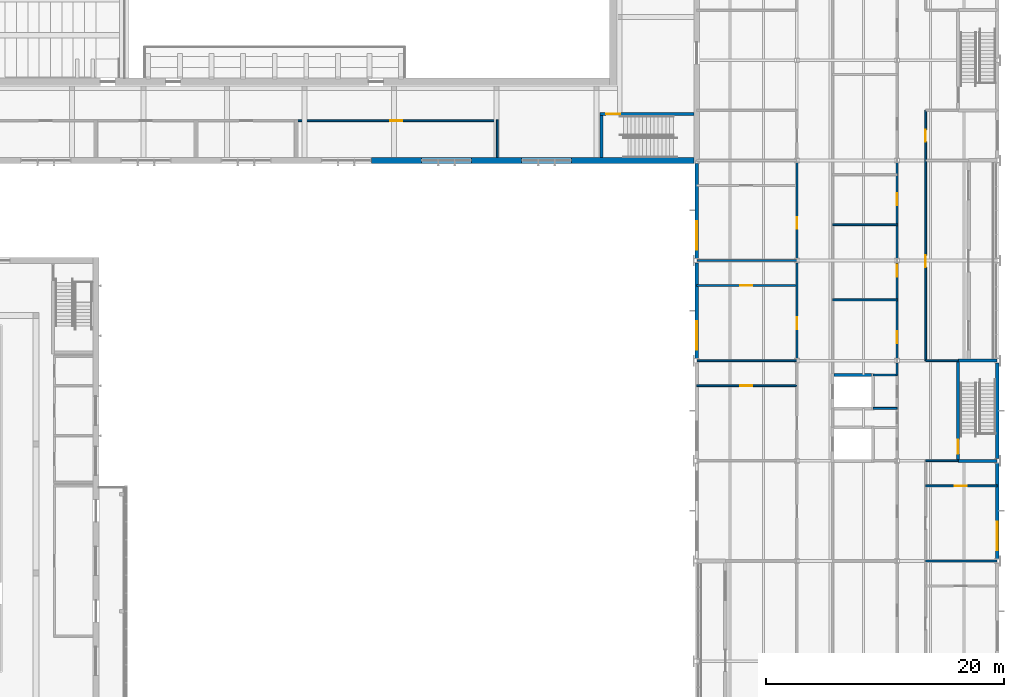
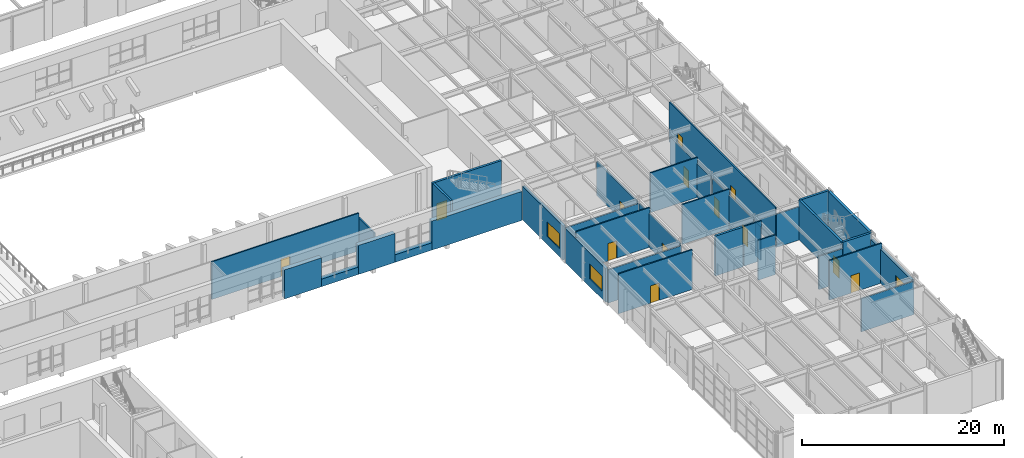
# One storey, part 75 of 127: 35 walls, 13 doors, 3 windows, 16 openings.
"""IFC4 building model written with IfcOpenShell, lengths in metres."""

from ifc_helpers import new_model, si_unit, direction, frame, frame_2d, origin, place, context, subcontext, project, spatial, rectangle, extrude, material, layer, layer_set, type_object, element, fill, save


model = new_model("IFC4")

# Units and contexts
model_context = context("Model", 3, precision=1e-05, world=origin(), true_north=direction((0.0, 1.0)))
body_context = subcontext(model_context, "Body", "Model", "MODEL_VIEW")
ifc_project = project(units=[si_unit("LENGTHUNIT", "METRE"), si_unit("AREAUNIT", "SQUARE_METRE"), si_unit("VOLUMEUNIT", "CUBIC_METRE"), si_unit("PLANEANGLEUNIT", "RADIAN"), si_unit("MASSUNIT", "GRAM", prefix="KILO")], contexts=[model_context])

# Site, building, storey
site_placement = place(None, origin())
site = spatial("IfcSite", under=ifc_project, at=site_placement, CompositionType="ELEMENT")
building_placement = place(site_placement, origin())
building = spatial("IfcBuilding", under=site, at=building_placement, Name="Ljudholm Concert House", CompositionType="ELEMENT")
storey_placement = place(building_placement, frame((0.0, 0.0, 5.39990234375)))
storey = spatial("IfcBuildingStorey", under=building, at=storey_placement, Name="L01", CompositionType="ELEMENT", Elevation=5.39990234375)

# Wall, opening, door
ifc_material_1 = material(Name="Gypsum board on steel studs", Category="steel")
ifc_layer_1 = layer(ifc_material_1, 0.14990234375)
ifc_layer_set_1 = layer_set([ifc_layer_1], Name="Gypsum board on steel studs")
wall_type_1 = type_object("IfcWallType", Name="GYPSUM PARTITION 150", PredefinedType="PARTITIONING", material=ifc_layer_set_1)
wall_1_placement = place(storey_placement, frame((62.800048828125, 57.72509765625, 0.0), z_axis=(0.0, 0.0, 1.0), x_axis=(1.0, 0.0, 0.0)))
wall_1 = element("IfcWall", 1, at=wall_1_placement, inside=storey, type_object=wall_type_1, Name="Hall Bar partition", PredefinedType="PARTITIONING", context=body_context, shape_type="SweptSolid", body=[
    extrude(rectangle(XDim=16.800048828125, YDim=0.14990234375, at=frame_2d((8.39990234375, 0.0))), origin(), (0.0, 0.0, 1.0), 4.550048828125),
])
opening_1_placement = place(wall_1_placement, frame((7.89990234375, 0.0, 0.0)))
opening_1 = element("IfcOpeningElement", 2, at=opening_1_placement, cuts=wall_1, Name="Opening D-H01-006", PredefinedType="OPENING", context=body_context, shape_type="SweptSolid", body=[
    extrude(rectangle(XDim=1.0, YDim=2.10009765625, at=frame_2d((0.5, 1.050048828125))), frame((0.0, 0.0849609375, 0.0), z_axis=(0.0, -1.0, 0.0), x_axis=(1.0, 0.0, 0.0)), (0.0, 0.0, 1.0), 0.169921875),
])
ifc_material_2 = material(Name="Hollow metal door in steel frame", Category="steel")
door_type_1 = type_object("IfcDoorType", Name="SWING DOOR 1000x2100", OperationType="SINGLE_SWING_LEFT", PredefinedType="DOOR", material=ifc_material_2)
door_1_placement = place(opening_1_placement, frame((1.0, 0.0, 0.0), z_axis=(0.0, 0.0, 1.0), x_axis=(-1.0, 0.0, 0.0)))
door_1 = element("IfcDoor", 3, at=door_1_placement, inside=storey, type_object=door_type_1, Name="Hall Bar door", OperationType="SINGLE_SWING_LEFT", OverallHeight=2.10009765625, OverallWidth=1.0, PredefinedType="DOOR", context=body_context, shape_type="SweptSolid", body=[
    extrude(rectangle(XDim=1.0, YDim=2.10009765625, at=frame_2d((0.5, 1.050048828125))), frame((0.0, 0.02490234375, 0.0), z_axis=(0.0, -1.0, 0.0), x_axis=(1.0, 0.0, 0.0)), (0.0, 0.0, 1.0), 0.050048828125),
])
fill(opening_1, door_1)

# Wall
wall_2_placement = place(storey_placement, frame((79.675048828125, 54.64990234375, 0.0), z_axis=(0.0, 0.0, 1.0), x_axis=(0.0, 1.0, 0.0)))
element("IfcWall", 4, at=wall_2_placement, inside=storey, type_object=wall_type_1, Name="Hall Bar partition", PredefinedType="PARTITIONING", context=body_context, shape_type="SweptSolid", body=[
    extrude(rectangle(XDim=3.150146484375, YDim=0.14990234375, at=frame_2d((1.5751953125, 0.0))), origin(), (0.0, 0.0, 1.0), 3.9501953125),
])

# Wall, opening, door
wall_3_placement = place(storey_placement, frame((104.800048828125, 37.78662109375, 0.0), z_axis=(0.0, 0.0, 1.0), x_axis=(0.0, 1.0, 0.0)))
wall_3 = element("IfcWall", 5, at=wall_3_placement, inside=storey, type_object=wall_type_1, Name="Partition", PredefinedType="PARTITIONING", context=body_context, shape_type="SweptSolid", body=[
    extrude(rectangle(XDim=8.026611328125, YDim=0.14990234375, at=frame_2d((4.01318359375, 0.0))), origin(), (0.0, 0.0, 1.0), 4.086669921875),
])
opening_2_placement = place(wall_3_placement, frame((2.46337890625, 0.0, 0.0)))
opening_2 = element("IfcOpeningElement", 6, at=opening_2_placement, cuts=wall_3, Name="Opening D-W01-014", PredefinedType="OPENING", context=body_context, shape_type="SweptSolid", body=[
    extrude(rectangle(XDim=1.0, YDim=2.10009765625, at=frame_2d((0.5, 1.050048828125))), frame((0.0, 0.0849609375, 0.0), z_axis=(0.0, -1.0, 0.0), x_axis=(1.0, 0.0, 0.0)), (0.0, 0.0, 1.0), 0.169921875),
])
door_2_placement = place(opening_2_placement, origin())
door_2 = element("IfcDoor", 7, at=door_2_placement, inside=storey, type_object=door_type_1, Name="Door", OperationType="SINGLE_SWING_LEFT", OverallHeight=2.10009765625, OverallWidth=1.0, PredefinedType="DOOR", context=body_context, shape_type="SweptSolid", body=[
    extrude(rectangle(XDim=1.0, YDim=2.10009765625, at=frame_2d((0.5, 1.050048828125))), frame((0.0, 0.02490234375, 0.0), z_axis=(0.0, -1.0, 0.0), x_axis=(1.0, 0.0, 0.0)), (0.0, 0.0, 1.0), 0.050048828125),
])
fill(opening_2, door_2)

wall_4_placement = place(storey_placement, frame((104.800048828125, 46.186767578125, 0.0), z_axis=(0.0, 0.0, 1.0), x_axis=(0.0, 1.0, 0.0)))
wall_4 = element("IfcWall", 8, at=wall_4_placement, inside=storey, type_object=wall_type_1, Name="Partition", PredefinedType="PARTITIONING", context=body_context, shape_type="SweptSolid", body=[
    extrude(rectangle(XDim=8.026611328125, YDim=0.14990234375, at=frame_2d((4.01318359375, 0.0))), origin(), (0.0, 0.0, 1.0), 4.086669921875),
])
opening_3_placement = place(wall_4_placement, frame((2.46337890625, 0.0, 0.0)))
opening_3 = element("IfcOpeningElement", 9, at=opening_3_placement, cuts=wall_4, Name="Opening D-W01-016", PredefinedType="OPENING", context=body_context, shape_type="SweptSolid", body=[
    extrude(rectangle(XDim=1.0, YDim=2.10009765625, at=frame_2d((0.5, 1.050048828125))), frame((0.0, 0.0849609375, 0.0), z_axis=(0.0, -1.0, 0.0), x_axis=(1.0, 0.0, 0.0)), (0.0, 0.0, 1.0), 0.169921875),
])
door_3_placement = place(opening_3_placement, origin())
door_3 = element("IfcDoor", 10, at=door_3_placement, inside=storey, type_object=door_type_1, Name="Door", OperationType="SINGLE_SWING_LEFT", OverallHeight=2.10009765625, OverallWidth=1.0, PredefinedType="DOOR", context=body_context, shape_type="SweptSolid", body=[
    extrude(rectangle(XDim=1.0, YDim=2.10009765625, at=frame_2d((0.5, 1.050048828125))), frame((0.0, 0.02490234375, 0.0), z_axis=(0.0, -1.0, 0.0), x_axis=(1.0, 0.0, 0.0)), (0.0, 0.0, 1.0), 0.050048828125),
])
fill(opening_3, door_3)

# Wall
wall_5_placement = place(storey_placement, frame((113.199951171875, 36.39990234375, 0.0), z_axis=(0.0, 0.0, 1.0), x_axis=(0.0, 1.0, 0.0)))
element("IfcWall", 11, at=wall_5_placement, inside=storey, type_object=wall_type_1, Name="Partition", PredefinedType="PARTITIONING", context=body_context, shape_type="SweptSolid", body=[
    extrude(rectangle(XDim=1.013427734375, YDim=0.14990234375, at=frame_2d((0.5068359375, 0.0))), origin(), (0.0, 0.0, 1.0), 4.086669921875),
])

# Wall, openings, doors
wall_6_placement = place(storey_placement, frame((113.199951171875, 37.78662109375, 0.0), z_axis=(0.0, 0.0, 1.0), x_axis=(0.0, 1.0, 0.0)))
wall_6 = element("IfcWall", 12, at=wall_6_placement, inside=storey, type_object=wall_type_1, Name="Partition", PredefinedType="PARTITIONING", context=body_context, shape_type="SweptSolid", body=[
    extrude(rectangle(XDim=8.026611328125, YDim=0.14990234375, at=frame_2d((4.01318359375, 0.0))), origin(), (0.0, 0.0, 1.0), 4.086669921875),
])
opening_4_placement = place(wall_6_placement, frame((1.263427734375, 0.0, 0.0)))
opening_4 = element("IfcOpeningElement", 13, at=opening_4_placement, cuts=wall_6, Name="Opening D-W01-025", PredefinedType="OPENING", context=body_context, shape_type="SweptSolid", body=[
    extrude(rectangle(XDim=1.0, YDim=2.10009765625, at=frame_2d((0.5, 1.050048828125))), frame((0.0, 0.0849609375, 0.0), z_axis=(0.0, -1.0, 0.0), x_axis=(1.0, 0.0, 0.0)), (0.0, 0.0, 1.0), 0.169921875),
])
opening_5_placement = place(wall_6_placement, frame((6.86328125, 0.0, 0.0)))
opening_5 = element("IfcOpeningElement", 14, at=opening_5_placement, cuts=wall_6, Name="Opening D-W01-026", PredefinedType="OPENING", context=body_context, shape_type="SweptSolid", body=[
    extrude(rectangle(XDim=1.0, YDim=2.10009765625, at=frame_2d((0.5, 1.050048828125))), frame((0.0, 0.0849609375, 0.0), z_axis=(0.0, -1.0, 0.0), x_axis=(1.0, 0.0, 0.0)), (0.0, 0.0, 1.0), 0.169921875),
])
door_4_placement = place(opening_4_placement, origin())
door_4 = element("IfcDoor", 15, at=door_4_placement, inside=storey, type_object=door_type_1, Name="Door", OperationType="SINGLE_SWING_RIGHT", OverallHeight=2.10009765625, OverallWidth=1.0, PredefinedType="DOOR", context=body_context, shape_type="SweptSolid", body=[
    extrude(rectangle(XDim=1.0, YDim=2.10009765625, at=frame_2d((0.5, 1.050048828125))), frame((0.0, 0.02490234375, 0.0), z_axis=(0.0, -1.0, 0.0), x_axis=(1.0, 0.0, 0.0)), (0.0, 0.0, 1.0), 0.050048828125),
])
fill(opening_4, door_4)
door_5_placement = place(opening_5_placement, origin())
door_5 = element("IfcDoor", 16, at=door_5_placement, inside=storey, type_object=door_type_1, Name="Door", OperationType="SINGLE_SWING_LEFT", OverallHeight=2.10009765625, OverallWidth=1.0, PredefinedType="DOOR", context=body_context, shape_type="SweptSolid", body=[
    extrude(rectangle(XDim=1.0, YDim=2.10009765625, at=frame_2d((0.5, 1.050048828125))), frame((0.0, 0.02490234375, 0.0), z_axis=(0.0, -1.0, 0.0), x_axis=(1.0, 0.0, 0.0)), (0.0, 0.0, 1.0), 0.050048828125),
])
fill(opening_5, door_5)

# Wall, opening, door
wall_7_placement = place(storey_placement, frame((113.199951171875, 46.186767578125, 0.0), z_axis=(0.0, 0.0, 1.0), x_axis=(0.0, 1.0, 0.0)))
wall_7 = element("IfcWall", 17, at=wall_7_placement, inside=storey, type_object=wall_type_1, Name="Partition", PredefinedType="PARTITIONING", context=body_context, shape_type="SweptSolid", body=[
    extrude(rectangle(XDim=8.026611328125, YDim=0.14990234375, at=frame_2d((4.01318359375, 0.0))), origin(), (0.0, 0.0, 1.0), 4.086669921875),
])
opening_6_placement = place(wall_7_placement, frame((4.46337890625, 0.0, 0.0)))
opening_6 = element("IfcOpeningElement", 18, at=opening_6_placement, cuts=wall_7, Name="Opening D-W01-027", PredefinedType="OPENING", context=body_context, shape_type="SweptSolid", body=[
    extrude(rectangle(XDim=1.0, YDim=2.10009765625, at=frame_2d((0.5, 1.050048828125))), frame((0.0, 0.0849609375, 0.0), z_axis=(0.0, -1.0, 0.0), x_axis=(1.0, 0.0, 0.0)), (0.0, 0.0, 1.0), 0.169921875),
])
door_6_placement = place(opening_6_placement, origin())
door_6 = element("IfcDoor", 19, at=door_6_placement, inside=storey, type_object=door_type_1, Name="Door", OperationType="SINGLE_SWING_RIGHT", OverallHeight=2.10009765625, OverallWidth=1.0, PredefinedType="DOOR", context=body_context, shape_type="SweptSolid", body=[
    extrude(rectangle(XDim=1.0, YDim=2.10009765625, at=frame_2d((0.5, 1.050048828125))), frame((0.0, 0.02490234375, 0.0), z_axis=(0.0, -1.0, 0.0), x_axis=(1.0, 0.0, 0.0)), (0.0, 0.0, 1.0), 0.050048828125),
])
fill(opening_6, door_6)

# Wall, openings, doors
wall_8_placement = place(storey_placement, frame((115.60009765625, 37.60009765625, 0.0), z_axis=(0.0, 0.0, 1.0), x_axis=(0.0, 1.0, 0.0)))
wall_8 = element("IfcWall", 20, at=wall_8_placement, inside=storey, type_object=wall_type_1, Name="Partition", PredefinedType="PARTITIONING", context=body_context, shape_type="SweptSolid", body=[
    extrude(rectangle(XDim=21.0, YDim=0.14990234375, at=frame_2d((10.5, 0.0))), origin(), (0.0, 0.0, 1.0), 4.800048828125),
])
opening_7_placement = place(wall_8_placement, frame((7.85009765625, 0.0, 0.0)))
opening_7 = element("IfcOpeningElement", 21, at=opening_7_placement, cuts=wall_8, Name="Opening D-W01-037", PredefinedType="OPENING", context=body_context, shape_type="SweptSolid", body=[
    extrude(rectangle(XDim=1.0, YDim=2.10009765625, at=frame_2d((0.5, 1.050048828125))), frame((0.0, 0.0849609375, 0.0), z_axis=(0.0, -1.0, 0.0), x_axis=(1.0, 0.0, 0.0)), (0.0, 0.0, 1.0), 0.169921875),
])
opening_8_placement = place(wall_8_placement, frame((18.35009765625, 0.0, 0.0)))
opening_8 = element("IfcOpeningElement", 22, at=opening_8_placement, cuts=wall_8, Name="Opening D-W01-038", PredefinedType="OPENING", context=body_context, shape_type="SweptSolid", body=[
    extrude(rectangle(XDim=1.0, YDim=2.10009765625, at=frame_2d((0.5, 1.050048828125))), frame((0.0, 0.0849609375, 0.0), z_axis=(0.0, -1.0, 0.0), x_axis=(1.0, 0.0, 0.0)), (0.0, 0.0, 1.0), 0.169921875),
])
door_7_placement = place(opening_7_placement, frame((1.0, 0.0, 0.0), z_axis=(0.0, 0.0, 1.0), x_axis=(-1.0, 0.0, 0.0)))
door_7 = element("IfcDoor", 23, at=door_7_placement, inside=storey, type_object=door_type_1, Name="Door", OperationType="SINGLE_SWING_LEFT", OverallHeight=2.10009765625, OverallWidth=1.0, PredefinedType="DOOR", context=body_context, shape_type="SweptSolid", body=[
    extrude(rectangle(XDim=1.0, YDim=2.10009765625, at=frame_2d((0.5, 1.050048828125))), frame((0.0, 0.02490234375, 0.0), z_axis=(0.0, -1.0, 0.0), x_axis=(1.0, 0.0, 0.0)), (0.0, 0.0, 1.0), 0.050048828125),
])
fill(opening_7, door_7)
door_8_placement = place(opening_8_placement, frame((1.0, 0.0, 0.0), z_axis=(0.0, 0.0, 1.0), x_axis=(-1.0, 0.0, 0.0)))
door_8 = element("IfcDoor", 24, at=door_8_placement, inside=storey, type_object=door_type_1, Name="Door", OperationType="SINGLE_SWING_RIGHT", OverallHeight=2.10009765625, OverallWidth=1.0, PredefinedType="DOOR", context=body_context, shape_type="SweptSolid", body=[
    extrude(rectangle(XDim=1.0, YDim=2.10009765625, at=frame_2d((0.5, 1.050048828125))), frame((0.0, 0.02490234375, 0.0), z_axis=(0.0, -1.0, 0.0), x_axis=(1.0, 0.0, 0.0)), (0.0, 0.0, 1.0), 0.050048828125),
])
fill(opening_8, door_8)

# Wall
wall_9_placement = place(storey_placement, frame((115.60009765625, 20.800048828125, 0.0), z_axis=(0.0, 0.0, 1.0), x_axis=(1.0, 0.0, 0.0)))
element("IfcWall", 25, at=wall_9_placement, inside=storey, type_object=wall_type_1, Name="Partition", PredefinedType="PARTITIONING", context=body_context, shape_type="SweptSolid", body=[
    extrude(rectangle(XDim=5.99169921875, YDim=0.14990234375, at=frame_2d((2.995849609375, 0.0))), origin(), (0.0, 0.0, 1.0), 4.008056640625),
])

# Wall, opening, door
wall_10_placement = place(storey_placement, frame((115.60009765625, 27.10009765625, 0.0), z_axis=(0.0, 0.0, 1.0), x_axis=(1.0, 0.0, 0.0)))
wall_10 = element("IfcWall", 26, at=wall_10_placement, inside=storey, type_object=wall_type_1, Name="Partition", PredefinedType="PARTITIONING", context=body_context, shape_type="SweptSolid", body=[
    extrude(rectangle(XDim=6.0, YDim=0.14990234375, at=frame_2d((3.0, 0.0))), origin(), (0.0, 0.0, 1.0), 4.800048828125),
])
opening_9_placement = place(wall_10_placement, frame((2.449951171875, 0.0, 0.0)))
opening_9 = element("IfcOpeningElement", 27, at=opening_9_placement, cuts=wall_10, Name="Opening D-W01-036", PredefinedType="OPENING", context=body_context, shape_type="SweptSolid", body=[
    extrude(rectangle(XDim=1.0, YDim=2.10009765625, at=frame_2d((0.5, 1.050048828125))), frame((0.0, 0.0849609375, 0.0), z_axis=(0.0, -1.0, 0.0), x_axis=(1.0, 0.0, 0.0)), (0.0, 0.0, 1.0), 0.169921875),
])
door_9_placement = place(opening_9_placement, origin())
door_9 = element("IfcDoor", 28, at=door_9_placement, inside=storey, type_object=door_type_1, Name="Door", OperationType="SINGLE_SWING_LEFT", OverallHeight=2.10009765625, OverallWidth=1.0, PredefinedType="DOOR", context=body_context, shape_type="SweptSolid", body=[
    extrude(rectangle(XDim=1.0, YDim=2.10009765625, at=frame_2d((0.5, 1.050048828125))), frame((0.0, 0.02490234375, 0.0), z_axis=(0.0, -1.0, 0.0), x_axis=(1.0, 0.0, 0.0)), (0.0, 0.0, 1.0), 0.050048828125),
])
fill(opening_9, door_9)

# Walls
wall_11_placement = place(storey_placement, frame((115.60009765625, 29.199951171875, 0.0), z_axis=(0.0, 0.0, 1.0), x_axis=(1.0, 0.0, 0.0)))
element("IfcWall", 29, at=wall_11_placement, inside=storey, type_object=wall_type_1, Name="Partition", PredefinedType="PARTITIONING", context=body_context, shape_type="SweptSolid", body=[
    extrude(rectangle(XDim=2.724853515625, YDim=0.14990234375, at=frame_2d((1.3623046875, 0.0))), origin(), (0.0, 0.0, 1.0), 4.008056640625),
])
wall_12_placement = place(storey_placement, frame((111.199951171875, 33.60009765625, 0.0), z_axis=(0.0, 0.0, 1.0), x_axis=(1.0, 0.0, 0.0)))
element("IfcWall", 30, at=wall_12_placement, inside=storey, type_object=wall_type_1, Name="Partition", PredefinedType="PARTITIONING", context=body_context, shape_type="SweptSolid", body=[
    extrude(rectangle(XDim=2.0, YDim=0.14990234375, at=frame_2d((1.0, 0.0))), origin(), (0.0, 0.0, 1.0), 4.800048828125),
])

# Wall, opening, door
wall_13_placement = place(storey_placement, frame((96.39990234375, 35.5, 0.0), z_axis=(0.0, 0.0, 1.0), x_axis=(1.0, 0.0, 0.0)))
wall_13 = element("IfcWall", 31, at=wall_13_placement, inside=storey, type_object=wall_type_1, Name="Partition", PredefinedType="PARTITIONING", context=body_context, shape_type="SweptSolid", body=[
    extrude(rectangle(XDim=8.400146484375, YDim=0.14990234375, at=frame_2d((4.2001953125, 0.0))), origin(), (0.0, 0.0, 1.0), 4.800048828125),
])
opening_10_placement = place(wall_13_placement, frame((3.64990234375, 0.0, 0.0)))
opening_10 = element("IfcOpeningElement", 32, at=opening_10_placement, cuts=wall_13, Name="Opening D-W01-013", PredefinedType="OPENING", context=body_context, shape_type="SweptSolid", body=[
    extrude(rectangle(XDim=1.0, YDim=2.10009765625, at=frame_2d((0.5, 1.050048828125))), frame((0.0, 0.0849609375, 0.0), z_axis=(0.0, -1.0, 0.0), x_axis=(1.0, 0.0, 0.0)), (0.0, 0.0, 1.0), 0.169921875),
])
door_10_placement = place(opening_10_placement, origin())
door_10 = element("IfcDoor", 33, at=door_10_placement, inside=storey, type_object=door_type_1, Name="Door", OperationType="SINGLE_SWING_RIGHT", OverallHeight=2.10009765625, OverallWidth=1.0, PredefinedType="DOOR", context=body_context, shape_type="SweptSolid", body=[
    extrude(rectangle(XDim=1.0, YDim=2.10009765625, at=frame_2d((0.5, 1.050048828125))), frame((0.0, 0.02490234375, 0.0), z_axis=(0.0, -1.0, 0.0), x_axis=(1.0, 0.0, 0.0)), (0.0, 0.0, 1.0), 0.050048828125),
])
fill(opening_10, door_10)

# Walls
wall_14_placement = place(storey_placement, frame((111.199951171875, 36.39990234375, 0.0), z_axis=(0.0, 0.0, 1.0), x_axis=(1.0, 0.0, 0.0)))
element("IfcWall", 34, at=wall_14_placement, inside=storey, type_object=wall_type_1, Name="Partition", PredefinedType="PARTITIONING", context=body_context, shape_type="SweptSolid", body=[
    extrude(rectangle(XDim=2.0, YDim=0.14990234375, at=frame_2d((1.0, 0.0))), origin(), (0.0, 0.0, 1.0), 4.800048828125),
])
wall_15_placement = place(storey_placement, frame((115.60009765625, 37.60009765625, 0.0), z_axis=(0.0, 0.0, 1.0), x_axis=(1.0, 0.0, 0.0)))
element("IfcWall", 35, at=wall_15_placement, inside=storey, type_object=wall_type_1, Name="Partition", PredefinedType="PARTITIONING", context=body_context, shape_type="SweptSolid", body=[
    extrude(rectangle(XDim=2.724853515625, YDim=0.14990234375, at=frame_2d((1.3623046875, 0.0))), origin(), (0.0, 0.0, 1.0), 4.008056640625),
])
wall_16_placement = place(storey_placement, frame((96.408203125, 37.60009765625, 0.0), z_axis=(0.0, 0.0, 1.0), x_axis=(1.0, 0.0, 0.0)))
element("IfcWall", 36, at=wall_16_placement, inside=storey, type_object=wall_type_1, Name="Partition", PredefinedType="PARTITIONING", context=body_context, shape_type="SweptSolid", body=[
    extrude(rectangle(XDim=8.383544921875, YDim=0.14990234375, at=frame_2d((4.19189453125, 0.0))), origin(), (0.0, 0.0, 1.0), 4.008056640625),
])
wall_17_placement = place(storey_placement, frame((107.800048828125, 42.699951171875, 0.0), z_axis=(0.0, 0.0, 1.0), x_axis=(1.0, 0.0, 0.0)))
element("IfcWall", 37, at=wall_17_placement, inside=storey, type_object=wall_type_1, Name="Partition", PredefinedType="PARTITIONING", context=body_context, shape_type="SweptSolid", body=[
    extrude(rectangle(XDim=5.39990234375, YDim=0.14990234375, at=frame_2d((2.699951171875, 0.0))), origin(), (0.0, 0.0, 1.0), 4.800048828125),
])

# Wall, opening, door
wall_18_placement = place(storey_placement, frame((96.39990234375, 43.89990234375, 0.0), z_axis=(0.0, 0.0, 1.0), x_axis=(1.0, 0.0, 0.0)))
wall_18 = element("IfcWall", 38, at=wall_18_placement, inside=storey, type_object=wall_type_1, Name="Partition", PredefinedType="PARTITIONING", context=body_context, shape_type="SweptSolid", body=[
    extrude(rectangle(XDim=8.400146484375, YDim=0.14990234375, at=frame_2d((4.2001953125, 0.0))), origin(), (0.0, 0.0, 1.0), 4.800048828125),
])
opening_11_placement = place(wall_18_placement, frame((3.64990234375, 0.0, 0.0)))
opening_11 = element("IfcOpeningElement", 39, at=opening_11_placement, cuts=wall_18, Name="Opening D-W01-015", PredefinedType="OPENING", context=body_context, shape_type="SweptSolid", body=[
    extrude(rectangle(XDim=1.0, YDim=2.10009765625, at=frame_2d((0.5, 1.050048828125))), frame((0.0, 0.0849609375, 0.0), z_axis=(0.0, -1.0, 0.0), x_axis=(1.0, 0.0, 0.0)), (0.0, 0.0, 1.0), 0.169921875),
])
door_11_placement = place(opening_11_placement, origin())
door_11 = element("IfcDoor", 40, at=door_11_placement, inside=storey, type_object=door_type_1, Name="Door", OperationType="SINGLE_SWING_LEFT", OverallHeight=2.10009765625, OverallWidth=1.0, PredefinedType="DOOR", context=body_context, shape_type="SweptSolid", body=[
    extrude(rectangle(XDim=1.0, YDim=2.10009765625, at=frame_2d((0.5, 1.050048828125))), frame((0.0, 0.02490234375, 0.0), z_axis=(0.0, -1.0, 0.0), x_axis=(1.0, 0.0, 0.0)), (0.0, 0.0, 1.0), 0.050048828125),
])
fill(opening_11, door_11)

# Walls
wall_19_placement = place(storey_placement, frame((96.408203125, 46.0, 0.0), z_axis=(0.0, 0.0, 1.0), x_axis=(1.0, 0.0, 0.0)))
element("IfcWall", 41, at=wall_19_placement, inside=storey, type_object=wall_type_1, Name="Partition", PredefinedType="PARTITIONING", context=body_context, shape_type="SweptSolid", body=[
    extrude(rectangle(XDim=8.383544921875, YDim=0.14990234375, at=frame_2d((4.19189453125, 0.0))), origin(), (0.0, 0.0, 1.0), 4.008056640625),
])
wall_20_placement = place(storey_placement, frame((107.800048828125, 49.0, 0.0), z_axis=(0.0, 0.0, 1.0), x_axis=(1.0, 0.0, 0.0)))
element("IfcWall", 42, at=wall_20_placement, inside=storey, type_object=wall_type_1, Name="Partition", PredefinedType="PARTITIONING", context=body_context, shape_type="SweptSolid", body=[
    extrude(rectangle(XDim=5.39990234375, YDim=0.14990234375, at=frame_2d((2.699951171875, 0.0))), origin(), (0.0, 0.0, 1.0), 4.800048828125),
])

# Wall, opening, window
ifc_material_3 = material(Name="Precast concrete 5,000 psi", Category="concrete")
ifc_layer_2 = layer(ifc_material_3, 0.300048828125)
ifc_layer_set_2 = layer_set([ifc_layer_2], Name="Precast concrete 5,000 psi")
wall_type_2 = type_object("IfcWallType", Name="PRECAST PANEL WALL 300", PredefinedType="SOLIDWALL", material=ifc_layer_set_2)
wall_21_placement = place(storey_placement, frame((96.39990234375, 37.78662109375, 0.0), z_axis=(0.0, 0.0, 1.0), x_axis=(0.0, 1.0, 0.0)))
wall_21 = element("IfcWall", 43, at=wall_21_placement, inside=storey, type_object=wall_type_2, Name="Facade wall", PredefinedType="SOLIDWALL", context=body_context, shape_type="SweptSolid", body=[
    extrude(rectangle(XDim=8.026611328125, YDim=0.300048828125, at=frame_2d((4.01318359375, 0.0))), origin(), (0.0, 0.0, 1.0), 4.086669921875),
])
opening_12_placement = place(wall_21_placement, frame((0.71337890625, 0.0, 0.949951171875)))
opening_12 = element("IfcOpeningElement", 44, at=opening_12_placement, cuts=wall_21, Name="Opening X-W01-005", PredefinedType="OPENING", context=body_context, shape_type="SweptSolid", body=[
    extrude(rectangle(XDim=2.39990234375, YDim=1.800048828125, at=frame_2d((1.199951171875, 0.89990234375))), frame((0.0, 0.159912109375, 0.0), z_axis=(0.0, -1.0, 0.0), x_axis=(1.0, 0.0, 0.0)), (0.0, 0.0, 1.0), 0.320068359375),
])
ifc_material_4 = material(Name="Aluminium frame, impact glazing", Category="aluminium")
window_type = type_object("IfcWindowType", Name="CASEMENT WINDOW 2400x1800", PartitioningType="DOUBLE_PANEL_VERTICAL", PredefinedType="WINDOW", material=ifc_material_4)
window_1_placement = place(opening_12_placement, origin())
window_1 = element("IfcWindow", 45, at=window_1_placement, inside=storey, type_object=window_type, Name="Window", OverallHeight=1.800048828125, OverallWidth=2.39990234375, PartitioningType="DOUBLE_PANEL_VERTICAL", PredefinedType="WINDOW", context=body_context, shape_type="SweptSolid", body=[
    extrude(rectangle(XDim=2.39990234375, YDim=1.800048828125, at=frame_2d((1.199951171875, 0.89990234375))), frame((0.0, 0.030029296875, 0.0), z_axis=(0.0, -1.0, 0.0), x_axis=(1.0, 0.0, 0.0)), (0.0, 0.0, 1.0), 0.06005859375),
])
fill(opening_12, window_1)

wall_22_placement = place(storey_placement, frame((96.39990234375, 46.186767578125, 0.0), z_axis=(0.0, 0.0, 1.0), x_axis=(0.0, 1.0, 0.0)))
wall_22 = element("IfcWall", 46, at=wall_22_placement, inside=storey, type_object=wall_type_2, Name="Facade wall", PredefinedType="SOLIDWALL", context=body_context, shape_type="SweptSolid", body=[
    extrude(rectangle(XDim=7.963134765625, YDim=0.300048828125, at=frame_2d((3.9814453125, 0.0))), origin(), (0.0, 0.0, 1.0), 4.086669921875),
])
opening_13_placement = place(wall_22_placement, frame((0.71337890625, 0.0, 0.949951171875)))
opening_13 = element("IfcOpeningElement", 47, at=opening_13_placement, cuts=wall_22, Name="Opening X-W01-006", PredefinedType="OPENING", context=body_context, shape_type="SweptSolid", body=[
    extrude(rectangle(XDim=2.39990234375, YDim=1.800048828125, at=frame_2d((1.199951171875, 0.89990234375))), frame((0.0, 0.159912109375, 0.0), z_axis=(0.0, -1.0, 0.0), x_axis=(1.0, 0.0, 0.0)), (0.0, 0.0, 1.0), 0.320068359375),
])
window_2_placement = place(opening_13_placement, origin())
window_2 = element("IfcWindow", 48, at=window_2_placement, inside=storey, type_object=window_type, Name="Window", OverallHeight=1.800048828125, OverallWidth=2.39990234375, PartitioningType="DOUBLE_PANEL_VERTICAL", PredefinedType="WINDOW", context=body_context, shape_type="SweptSolid", body=[
    extrude(rectangle(XDim=2.39990234375, YDim=1.800048828125, at=frame_2d((1.199951171875, 0.89990234375))), frame((0.0, 0.030029296875, 0.0), z_axis=(0.0, -1.0, 0.0), x_axis=(1.0, 0.0, 0.0)), (0.0, 0.0, 1.0), 0.06005859375),
])
fill(opening_13, window_2)

wall_23_placement = place(storey_placement, frame((121.60009765625, 20.986572265625, 0.0), z_axis=(0.0, 0.0, 1.0), x_axis=(0.0, 1.0, 0.0)))
wall_23 = element("IfcWall", 49, at=wall_23_placement, inside=storey, type_object=wall_type_2, Name="Facade wall", PredefinedType="SOLIDWALL", context=body_context, shape_type="SweptSolid", body=[
    extrude(rectangle(XDim=8.02685546875, YDim=0.300048828125, at=frame_2d((4.013427734375, 0.0))), origin(), (0.0, 0.0, 1.0), 4.086669921875),
])
opening_14_placement = place(wall_23_placement, frame((0.71337890625, 0.0, 0.949951171875)))
opening_14 = element("IfcOpeningElement", 50, at=opening_14_placement, cuts=wall_23, Name="Opening X-W01-008", PredefinedType="OPENING", context=body_context, shape_type="SweptSolid", body=[
    extrude(rectangle(XDim=2.39990234375, YDim=1.800048828125, at=frame_2d((1.199951171875, 0.89990234375))), frame((0.0, 0.159912109375, 0.0), z_axis=(0.0, -1.0, 0.0), x_axis=(1.0, 0.0, 0.0)), (0.0, 0.0, 1.0), 0.320068359375),
])
window_3_placement = place(opening_14_placement, origin())
window_3 = element("IfcWindow", 51, at=window_3_placement, inside=storey, type_object=window_type, Name="Window", OverallHeight=1.800048828125, OverallWidth=2.39990234375, PartitioningType="DOUBLE_PANEL_VERTICAL", PredefinedType="WINDOW", context=body_context, shape_type="SweptSolid", body=[
    extrude(rectangle(XDim=2.39990234375, YDim=1.800048828125, at=frame_2d((1.199951171875, 0.89990234375))), frame((0.0, 0.030029296875, 0.0), z_axis=(0.0, -1.0, 0.0), x_axis=(1.0, 0.0, 0.0)), (0.0, 0.0, 1.0), 0.06005859375),
])
fill(opening_14, window_3)

# Wall, opening, door
ifc_material_5 = material(Name="Concrete 6,500 psi", Category="concrete")
ifc_layer_3 = layer(ifc_material_5, 0.25)
ifc_layer_set_3 = layer_set([ifc_layer_3], Name="Concrete 6,500 psi")
wall_type_3 = type_object("IfcWallType", Name="RC CORE WALL 250", PredefinedType="SHEAR", material=ifc_layer_set_3)
wall_24_placement = place(storey_placement, frame((118.324951171875, 29.199951171875, 0.0), z_axis=(0.0, 0.0, 1.0), x_axis=(0.0, 1.0, 0.0)))
wall_24 = element("IfcWall", 52, at=wall_24_placement, inside=storey, type_object=wall_type_3, Name="Stair core wall", PredefinedType="SHEAR", context=body_context, shape_type="SweptSolid", body=[
    extrude(rectangle(XDim=8.400146484375, YDim=0.25, at=frame_2d((4.2001953125, 0.0))), origin(), (0.0, 0.0, 1.0), 4.800048828125),
])
opening_15_placement = place(wall_24_placement, frame((0.574951171875, 0.0, 0.0)))
opening_15 = element("IfcOpeningElement", 53, at=opening_15_placement, cuts=wall_24, Name="Opening D-W01-004", PredefinedType="OPENING", context=body_context, shape_type="SweptSolid", body=[
    extrude(rectangle(XDim=1.199951171875, YDim=2.10009765625, at=frame_2d((0.60009765625, 1.050048828125))), frame((0.0, 0.135009765625, 0.0), z_axis=(0.0, -1.0, 0.0), x_axis=(1.0, 0.0, 0.0)), (0.0, 0.0, 1.0), 0.27001953125),
])
ifc_material_6 = material(Name="Hollow metal door in steel frame", Category="steel")
door_type_2 = type_object("IfcDoorType", Name="SWING DOOR 1200x2100", OperationType="SINGLE_SWING_LEFT", PredefinedType="DOOR", material=ifc_material_6)
door_12_placement = place(opening_15_placement, origin())
door_12 = element("IfcDoor", 54, at=door_12_placement, inside=storey, type_object=door_type_2, Name="Door", OperationType="SINGLE_SWING_LEFT", OverallHeight=2.10009765625, OverallWidth=1.199951171875, PredefinedType="DOOR", context=body_context, shape_type="SweptSolid", body=[
    extrude(rectangle(XDim=1.199951171875, YDim=2.10009765625, at=frame_2d((0.60009765625, 1.050048828125))), frame((0.0, 0.02490234375, 0.0), z_axis=(0.0, -1.0, 0.0), x_axis=(1.0, 0.0, 0.0)), (0.0, 0.0, 1.0), 0.050048828125),
])
fill(opening_15, door_12)

# Walls
for number, where, z_axis, x_axis, name in (
    (55, (118.324951171875, 29.199951171875, 0.0), (0.0, 0.0, 1.0), (1.0, 0.0, 0.0), "Stair core wall"),
    (56, (118.324951171875, 37.60009765625, 0.0), (0.0, 0.0, 1.0), (1.0, 0.0, 0.0), "Stair core wall"),
):
    element("IfcWall", number, at=place(storey_placement, frame(where, z_axis=z_axis, x_axis=x_axis)), inside=storey, type_object=wall_type_3, Name=name, PredefinedType="SHEAR", context=body_context, shape_type="SweptSolid", body=[
        extrude(rectangle(XDim=3.266845703125, YDim=0.25, at=frame_2d((1.63330078125, 0.0))), origin(), (0.0, 0.0, 1.0), 4.800048828125),
    ])
ifc_material_7 = material(Name="Concrete 6,500 psi", Category="concrete")
ifc_layer_4 = layer(ifc_material_7, 0.300048828125)
ifc_layer_set_4 = layer_set([ifc_layer_4], Name="Concrete 6,500 psi")
wall_type_4 = type_object("IfcWallType", Name="RC CORE WALL 300", PredefinedType="SHEAR", material=ifc_layer_set_4)
wall_25_placement = place(storey_placement, frame((121.60009765625, 29.38671875, 0.0), z_axis=(0.0, 0.0, 1.0), x_axis=(0.0, 1.0, 0.0)))
element("IfcWall", 57, at=wall_25_placement, inside=storey, type_object=wall_type_4, Name="Stair core wall", PredefinedType="SHEAR", context=body_context, shape_type="SweptSolid", body=[
    extrude(rectangle(XDim=8.026611328125, YDim=0.300048828125, at=frame_2d((4.01318359375, 0.0))), origin(), (0.0, 0.0, 1.0), 4.800048828125),
])

# Wall, opening, door
ifc_material_8 = material(Name="Concrete 6,500 psi", Category="concrete")
ifc_layer_5 = layer(ifc_material_8, 0.25)
ifc_layer_set_5 = layer_set([ifc_layer_5], Name="Concrete 6,500 psi")
wall_type_5 = type_object("IfcWallType", Name="RC WALL 250", PredefinedType="SOLIDWALL", material=ifc_layer_set_5)
wall_26_placement = place(storey_placement, frame((88.300048828125, 58.27490234375, 0.0), z_axis=(0.0, 0.0, 1.0), x_axis=(1.0, 0.0, 0.0)))
wall_26 = element("IfcWall", 58, at=wall_26_placement, inside=storey, type_object=wall_type_5, Name="Stair enclosure wall EH3", PredefinedType="SOLIDWALL", context=body_context, shape_type="SweptSolid", body=[
    extrude(rectangle(XDim=7.849853515625, YDim=0.25, at=frame_2d((3.9248046875, 0.0))), origin(), (0.0, 0.0, 1.0), 4.800048828125),
])
opening_16_placement = place(wall_26_placement, frame((0.5, 0.0, 0.0)))
opening_16 = element("IfcOpeningElement", 59, at=opening_16_placement, cuts=wall_26, Name="Opening D-H01-011", PredefinedType="OPENING", context=body_context, shape_type="SweptSolid", body=[
    extrude(rectangle(XDim=1.199951171875, YDim=2.10009765625, at=frame_2d((0.60009765625, 1.050048828125))), frame((0.0, 0.135009765625, 0.0), z_axis=(0.0, -1.0, 0.0), x_axis=(1.0, 0.0, 0.0)), (0.0, 0.0, 1.0), 0.27001953125),
])
door_13_placement = place(opening_16_placement, frame((1.199951171875, 0.0, 0.0), z_axis=(0.0, 0.0, 1.0), x_axis=(-1.0, 0.0, 0.0)))
door_13 = element("IfcDoor", 60, at=door_13_placement, inside=storey, type_object=door_type_2, Name="Exit stair EH3 door", OperationType="SINGLE_SWING_RIGHT", OverallHeight=2.10009765625, OverallWidth=1.199951171875, PredefinedType="DOOR", context=body_context, shape_type="SweptSolid", body=[
    extrude(rectangle(XDim=1.199951171875, YDim=2.10009765625, at=frame_2d((0.60009765625, 1.050048828125))), frame((0.0, 0.02490234375, 0.0), z_axis=(0.0, -1.0, 0.0), x_axis=(1.0, 0.0, 0.0)), (0.0, 0.0, 1.0), 0.050048828125),
])
fill(opening_16, door_13)

# Walls
wall_27_placement = place(storey_placement, frame((88.425048828125, 54.64990234375, 0.0), z_axis=(0.0, 0.0, 1.0), x_axis=(0.0, 1.0, 0.0)))
element("IfcWall", 61, at=wall_27_placement, inside=storey, type_object=wall_type_5, Name="Stair enclosure wall EH3", PredefinedType="SOLIDWALL", context=body_context, shape_type="SweptSolid", body=[
    extrude(rectangle(XDim=3.5, YDim=0.25, at=frame_2d((1.75, 0.0))), origin(), (0.0, 0.0, 1.0), 4.800048828125),
])
wall_28_placement = place(storey_placement, frame((107.925048828125, 36.39990234375, 0.0), z_axis=(0.0, 0.0, 1.0), x_axis=(1.0, 0.0, 0.0)))
element("IfcWall", 62, at=wall_28_placement, inside=storey, type_object=wall_type_5, Name="Lift shaft wall", PredefinedType="SOLIDWALL", context=body_context, shape_type="SweptSolid", body=[
    extrude(rectangle(XDim=3.14990234375, YDim=0.25, at=frame_2d((1.574951171875, 0.0))), origin(), (0.0, 0.0, 1.0), 4.800048828125),
])
ifc_material_9 = material(Name="Concrete 6,500 psi", Category="concrete")
ifc_layer_6 = layer(ifc_material_9, 0.5)
ifc_layer_set_6 = layer_set([ifc_layer_6], Name="Concrete 6,500 psi")
wall_type_6 = type_object("IfcWallType", Name="RC WALL 500", PredefinedType="SOLIDWALL", material=ifc_layer_set_6)
for number, where, z_axis, x_axis, name in (
    (63, (69.10009765625, 54.39990234375, 0.0), (0.0, 0.0, 1.0), (1.0, 0.0, 0.0), "Outer wall S"),
    (64, (77.5, 54.39990234375, 0.0), (0.0, 0.0, 1.0), (1.0, 0.0, 0.0), "Outer wall S"),
):
    element("IfcWall", number, at=place(storey_placement, frame(where, z_axis=z_axis, x_axis=x_axis)), inside=storey, type_object=wall_type_6, Name=name, PredefinedType="SOLIDWALL", context=body_context, shape_type="SweptSolid", body=[
        extrude(rectangle(XDim=4.199951171875, YDim=0.5, at=frame_2d((2.10009765625, 0.0))), origin(), (0.0, 0.0, 1.0), 3.5),
    ])
wall_29_placement = place(storey_placement, frame((85.89990234375, 54.39990234375, 0.0), z_axis=(0.0, 0.0, 1.0), x_axis=(1.0, 0.0, 0.0)))
element("IfcWall", 65, at=wall_29_placement, inside=storey, type_object=wall_type_6, Name="Outer wall S", PredefinedType="SOLIDWALL", context=body_context, shape_type="SweptSolid", body=[
    extrude(rectangle(XDim=10.25, YDim=0.5, at=frame_2d((5.125, 0.0))), origin(), (0.0, 0.0, 1.0), 3.5),
])
for number, where, z_axis, x_axis, name in (
    (66, (73.300048828125, 54.39990234375, 0.0), (0.0, 0.0, 1.0), (1.0, 0.0, 0.0), "Outer wall S"),
    (67, (81.699951171875, 54.39990234375, 0.0), (0.0, 0.0, 1.0), (1.0, 0.0, 0.0), "Outer wall S"),
):
    element("IfcWall", number, at=place(storey_placement, frame(where, z_axis=z_axis, x_axis=x_axis)), inside=storey, type_object=wall_type_6, Name=name, PredefinedType="SOLIDWALL", context=body_context, shape_type="SweptSolid", body=[
        extrude(rectangle(XDim=4.199951171875, YDim=0.5, at=frame_2d((2.10009765625, 0.0))), origin(), (0.0, 0.0, 1.0), 0.900146484375),
    ])

save(model, "model.ifc")
